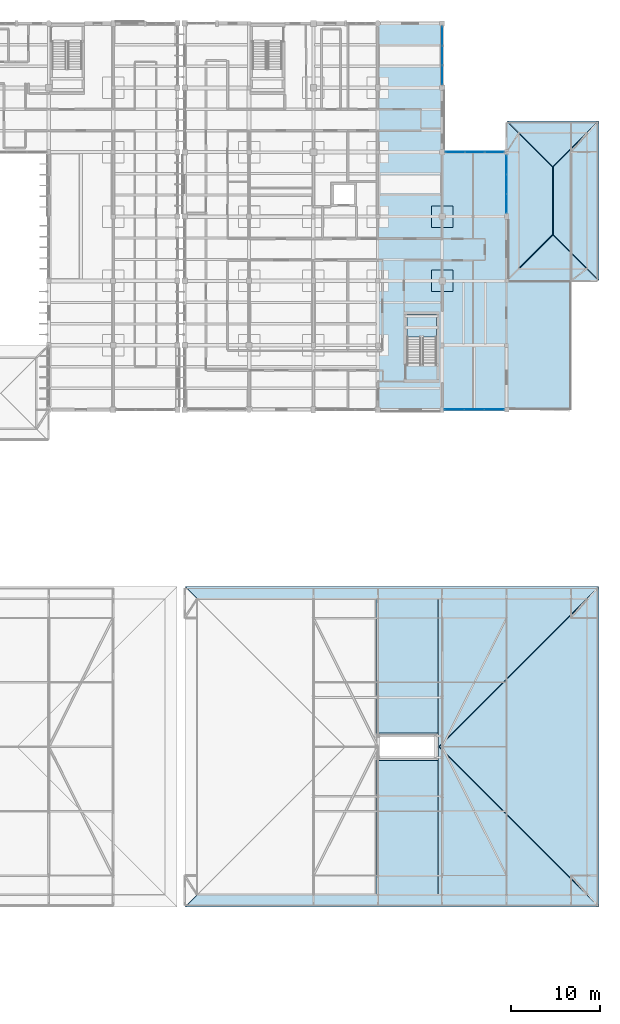
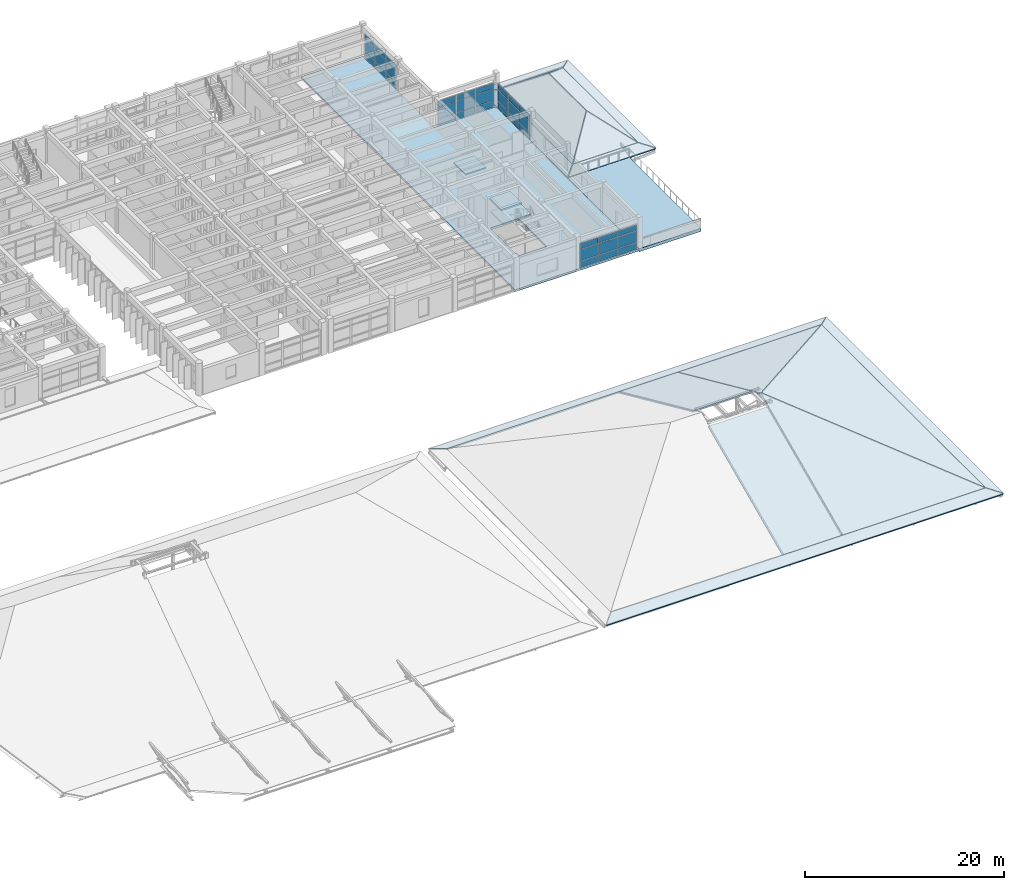
# One storey, part 56 of 100: 36 plates, 21 slabs, 7 elements without a shape of their own.
"""IFC4 building model written with IfcOpenShell, lengths in metres."""

from ifc_helpers import new_model, si_unit, direction, frame, origin, origin_2d, place, context, subcontext, project, spatial, polyline, rectangle, outline, extrude, material, layer, layer_set, type_object, element, aggregate, save


model = new_model("IFC4")

# Units and contexts
model_context = context("Model", 3, precision=1e-05, world=origin(), true_north=direction((0.0, 1.0)))
body_context = subcontext(model_context, "Body", "Model", "MODEL_VIEW")
ifc_project = project(units=[si_unit("LENGTHUNIT", "METRE"), si_unit("AREAUNIT", "SQUARE_METRE"), si_unit("VOLUMEUNIT", "CUBIC_METRE"), si_unit("PLANEANGLEUNIT", "RADIAN"), si_unit("MASSUNIT", "GRAM", prefix="KILO")], contexts=[model_context])

# Site, building, storey
site_placement = place(None, origin())
site = spatial("IfcSite", under=ifc_project, at=site_placement, CompositionType="ELEMENT")
building_placement = place(site_placement, origin())
building = spatial("IfcBuilding", under=site, at=building_placement, Name="Steenspoor Specialist Clinic", CompositionType="ELEMENT")
storey_placement = place(building_placement, frame((0.0, 0.0, 9.0)))
storey = spatial("IfcBuildingStorey", under=building, at=storey_placement, Name="L02", CompositionType="ELEMENT", Elevation=9.0)

# Curtain wall, plates
ifc_material_1 = material(Name="Thermally broken aluminium and low-emissivity glass", Category="aluminium")
curtain_wall_type_1 = type_object("IfcCurtainWallType", Name="CW-TYP-300X355", PredefinedType="USERDEFINED", material=ifc_material_1)
curtain_wall_1_placement = place(storey_placement, origin())
curtain_wall_1 = element("IfcCurtainWall", 1, at=curtain_wall_1_placement, inside=storey, type_object=curtain_wall_type_1, Name="Unitised Curtain Wall CW-V6-L02-183", ObjectType="UNITISED GLAZING", PredefinedType="USERDEFINED")
ifc_material_2 = material(Name="Double low-emissivity insulated glass", Category="glass")
ifc_layer_1 = layer(ifc_material_2, 0.035888671875)
ifc_layer_set_1 = layer_set([ifc_layer_1], Name="Double low-emissivity insulated glass")
plate_type_1 = type_object("IfcPlateType", Name="CW-PAN-GL36", PredefinedType="CURTAIN_PANEL", material=ifc_layer_set_1)
plate_1_placement = place(storey_placement, frame((154.0, 92.521240234375, 0.06005859375), z_axis=(0.0, 0.0, 1.0), x_axis=(0.0, -1.0, 0.0)))
plate_1 = element("IfcPlate", 2, at=plate_1_placement, type_object=plate_type_1, Name="CW-15 panel 1.1", PredefinedType="CURTAIN_PANEL", context=body_context, shape_type="SweptSolid", body=[
    extrude(rectangle(XDim=2.077392578125, YDim=0.035888671875, at=origin_2d()), origin(), (0.0, 0.0, 1.0), 0.81005859375),
])
plate_2_placement = place(storey_placement, frame((154.0, 92.521240234375, 0.93017578125), z_axis=(0.0, 0.0, 1.0), x_axis=(0.0, -1.0, 0.0)))
plate_2 = element("IfcPlate", 3, at=plate_2_placement, type_object=plate_type_1, Name="CW-15 panel 1.2", PredefinedType="CURTAIN_PANEL", context=body_context, shape_type="SweptSolid", body=[
    extrude(rectangle(XDim=2.077392578125, YDim=0.035888671875, at=origin_2d()), origin(), (0.0, 0.0, 1.0), 1.389892578125),
])
plate_3_placement = place(storey_placement, frame((154.0, 92.521240234375, 2.380126953125), z_axis=(0.0, 0.0, 1.0), x_axis=(0.0, -1.0, 0.0)))
plate_3 = element("IfcPlate", 4, at=plate_3_placement, type_object=plate_type_1, Name="CW-15 panel 1.3", PredefinedType="CURTAIN_PANEL", context=body_context, shape_type="SweptSolid", body=[
    extrude(rectangle(XDim=2.077392578125, YDim=0.035888671875, at=origin_2d()), origin(), (0.0, 0.0, 1.0), 0.68994140625),
])
plate_4_placement = place(storey_placement, frame((154.0, 90.362548828125, 0.06005859375), z_axis=(0.0, 0.0, 1.0), x_axis=(0.0, -1.0, 0.0)))
plate_4 = element("IfcPlate", 5, at=plate_4_placement, type_object=plate_type_1, Name="CW-15 panel 2.1", PredefinedType="CURTAIN_PANEL", context=body_context, shape_type="SweptSolid", body=[
    extrude(rectangle(XDim=2.110107421875, YDim=0.035888671875, at=origin_2d()), origin(), (0.0, 0.0, 1.0), 0.81005859375),
])
plate_5_placement = place(storey_placement, frame((154.0, 90.362548828125, 0.93017578125), z_axis=(0.0, 0.0, 1.0), x_axis=(0.0, -1.0, 0.0)))
plate_5 = element("IfcPlate", 6, at=plate_5_placement, type_object=plate_type_1, Name="CW-15 panel 2.2", PredefinedType="CURTAIN_PANEL", context=body_context, shape_type="SweptSolid", body=[
    extrude(rectangle(XDim=2.110107421875, YDim=0.035888671875, at=origin_2d()), origin(), (0.0, 0.0, 1.0), 1.389892578125),
])
plate_6_placement = place(storey_placement, frame((154.0, 90.362548828125, 2.380126953125), z_axis=(0.0, 0.0, 1.0), x_axis=(0.0, -1.0, 0.0)))
plate_6 = element("IfcPlate", 7, at=plate_6_placement, type_object=plate_type_1, Name="CW-15 panel 2.3", PredefinedType="CURTAIN_PANEL", context=body_context, shape_type="SweptSolid", body=[
    extrude(rectangle(XDim=2.110107421875, YDim=0.035888671875, at=origin_2d()), origin(), (0.0, 0.0, 1.0), 0.68994140625),
])
plate_7_placement = place(storey_placement, frame((154.0, 88.203857421875, 0.06005859375), z_axis=(0.0, 0.0, 1.0), x_axis=(0.0, -1.0, 0.0)))
plate_7 = element("IfcPlate", 8, at=plate_7_placement, type_object=plate_type_1, Name="CW-15 panel 3.1", PredefinedType="CURTAIN_PANEL", context=body_context, shape_type="SweptSolid", body=[
    extrude(rectangle(XDim=2.077392578125, YDim=0.035888671875, at=origin_2d()), origin(), (0.0, 0.0, 1.0), 0.81005859375),
])
plate_8_placement = place(storey_placement, frame((154.0, 88.203857421875, 0.93017578125), z_axis=(0.0, 0.0, 1.0), x_axis=(0.0, -1.0, 0.0)))
plate_8 = element("IfcPlate", 9, at=plate_8_placement, type_object=plate_type_1, Name="CW-15 panel 3.2", PredefinedType="CURTAIN_PANEL", context=body_context, shape_type="SweptSolid", body=[
    extrude(rectangle(XDim=2.077392578125, YDim=0.035888671875, at=origin_2d()), origin(), (0.0, 0.0, 1.0), 1.389892578125),
])
plate_9_placement = place(storey_placement, frame((154.0, 88.203857421875, 2.380126953125), z_axis=(0.0, 0.0, 1.0), x_axis=(0.0, -1.0, 0.0)))
plate_9 = element("IfcPlate", 10, at=plate_9_placement, type_object=plate_type_1, Name="CW-15 panel 3.3", PredefinedType="CURTAIN_PANEL", context=body_context, shape_type="SweptSolid", body=[
    extrude(rectangle(XDim=2.077392578125, YDim=0.035888671875, at=origin_2d()), origin(), (0.0, 0.0, 1.0), 0.68994140625),
])
aggregate(curtain_wall_1, [plate_1, plate_2, plate_3, plate_4, plate_5, plate_6, plate_7, plate_8, plate_9])

curtain_wall_type_2 = type_object("IfcCurtainWallType", Name="CW-STR-220X415", PredefinedType="USERDEFINED", material=ifc_material_1)
curtain_wall_2_placement = place(storey_placement, origin())
curtain_wall_2 = element("IfcCurtainWall", 11, at=curtain_wall_2_placement, inside=storey, type_object=curtain_wall_type_2, Name="Unitised Curtain Wall CW-V6-L02-192", ObjectType="UNITISED GLAZING", PredefinedType="USERDEFINED")
plate_10_placement = place(storey_placement, frame((146.800048828125, 106.950927734375, 0.06494140625), z_axis=(0.0, 0.0, 1.0), x_axis=(0.0, -1.0, 0.0)))
plate_10 = element("IfcPlate", 12, at=plate_10_placement, type_object=plate_type_1, Name="CW-24 panel 1.1", PredefinedType="CURTAIN_PANEL", context=body_context, shape_type="SweptSolid", body=[
    extrude(rectangle(XDim=2.08837890625, YDim=0.035888671875, at=origin_2d()), origin(), (0.0, 0.0, 1.0), 0.802490234375),
])
plate_11_placement = place(storey_placement, frame((146.800048828125, 106.950927734375, 0.9326171875), z_axis=(0.0, 0.0, 1.0), x_axis=(0.0, -1.0, 0.0)))
plate_11 = element("IfcPlate", 13, at=plate_11_placement, type_object=plate_type_1, Name="CW-24 panel 1.2", PredefinedType="CURTAIN_PANEL", context=body_context, shape_type="SweptSolid", body=[
    extrude(rectangle(XDim=2.08837890625, YDim=0.035888671875, at=origin_2d()), origin(), (0.0, 0.0, 1.0), 1.385009765625),
])
plate_12_placement = place(storey_placement, frame((146.800048828125, 106.950927734375, 2.38232421875), z_axis=(0.0, 0.0, 1.0), x_axis=(0.0, -1.0, 0.0)))
plate_12 = element("IfcPlate", 14, at=plate_12_placement, type_object=plate_type_1, Name="CW-24 panel 1.3", PredefinedType="CURTAIN_PANEL", context=body_context, shape_type="SweptSolid", body=[
    extrude(rectangle(XDim=2.08837890625, YDim=0.035888671875, at=origin_2d()), origin(), (0.0, 0.0, 1.0), 0.6826171875),
])
plate_13_placement = place(storey_placement, frame((146.800048828125, 104.762451171875, 0.06494140625), z_axis=(0.0, 0.0, 1.0), x_axis=(0.0, -1.0, 0.0)))
plate_13 = element("IfcPlate", 15, at=plate_13_placement, type_object=plate_type_1, Name="CW-24 panel 2.1", PredefinedType="CURTAIN_PANEL", context=body_context, shape_type="SweptSolid", body=[
    extrude(rectangle(XDim=2.12841796875, YDim=0.035888671875, at=origin_2d()), origin(), (0.0, 0.0, 1.0), 0.802490234375),
])
plate_14_placement = place(storey_placement, frame((146.800048828125, 104.762451171875, 0.9326171875), z_axis=(0.0, 0.0, 1.0), x_axis=(0.0, -1.0, 0.0)))
plate_14 = element("IfcPlate", 16, at=plate_14_placement, type_object=plate_type_1, Name="CW-24 panel 2.2", PredefinedType="CURTAIN_PANEL", context=body_context, shape_type="SweptSolid", body=[
    extrude(rectangle(XDim=2.12841796875, YDim=0.035888671875, at=origin_2d()), origin(), (0.0, 0.0, 1.0), 1.385009765625),
])
plate_15_placement = place(storey_placement, frame((146.800048828125, 104.762451171875, 2.38232421875), z_axis=(0.0, 0.0, 1.0), x_axis=(0.0, -1.0, 0.0)))
plate_15 = element("IfcPlate", 17, at=plate_15_placement, type_object=plate_type_1, Name="CW-24 panel 2.3", PredefinedType="CURTAIN_PANEL", context=body_context, shape_type="SweptSolid", body=[
    extrude(rectangle(XDim=2.12841796875, YDim=0.035888671875, at=origin_2d()), origin(), (0.0, 0.0, 1.0), 0.6826171875),
])
plate_16_placement = place(storey_placement, frame((146.800048828125, 102.57421875, 0.06494140625), z_axis=(0.0, 0.0, 1.0), x_axis=(0.0, -1.0, 0.0)))
plate_16 = element("IfcPlate", 18, at=plate_16_placement, type_object=plate_type_1, Name="CW-24 panel 3.1", PredefinedType="CURTAIN_PANEL", context=body_context, shape_type="SweptSolid", body=[
    extrude(rectangle(XDim=2.08837890625, YDim=0.035888671875, at=origin_2d()), origin(), (0.0, 0.0, 1.0), 0.802490234375),
])
plate_17_placement = place(storey_placement, frame((146.800048828125, 102.57421875, 0.9326171875), z_axis=(0.0, 0.0, 1.0), x_axis=(0.0, -1.0, 0.0)))
plate_17 = element("IfcPlate", 19, at=plate_17_placement, type_object=plate_type_1, Name="CW-24 panel 3.2", PredefinedType="CURTAIN_PANEL", context=body_context, shape_type="SweptSolid", body=[
    extrude(rectangle(XDim=2.08837890625, YDim=0.035888671875, at=origin_2d()), origin(), (0.0, 0.0, 1.0), 1.385009765625),
])
plate_18_placement = place(storey_placement, frame((146.800048828125, 102.57421875, 2.38232421875), z_axis=(0.0, 0.0, 1.0), x_axis=(0.0, -1.0, 0.0)))
plate_18 = element("IfcPlate", 20, at=plate_18_placement, type_object=plate_type_1, Name="CW-24 panel 3.3", PredefinedType="CURTAIN_PANEL", context=body_context, shape_type="SweptSolid", body=[
    extrude(rectangle(XDim=2.08837890625, YDim=0.035888671875, at=origin_2d()), origin(), (0.0, 0.0, 1.0), 0.6826171875),
])
aggregate(curtain_wall_2, [plate_10, plate_11, plate_12, plate_13, plate_14, plate_15, plate_16, plate_17, plate_18])

curtain_wall_type_3 = type_object("IfcCurtainWallType", Name="CW-TYP-240X355", PredefinedType="USERDEFINED", material=ifc_material_1)
curtain_wall_3_placement = place(storey_placement, origin())
curtain_wall_3 = element("IfcCurtainWall", 21, at=curtain_wall_3_placement, inside=storey, type_object=curtain_wall_type_3, Name="Unitised Curtain Wall CW-V6-L02-184", ObjectType="UNITISED GLAZING", PredefinedType="USERDEFINED")
ifc_material_3 = material(Name="Triple acoustic laminated low-emissivity glass", Category="glass")
ifc_layer_2 = layer(ifc_material_3, 0.048095703125)
ifc_layer_set_2 = layer_set([ifc_layer_2], Name="Triple acoustic laminated low-emissivity glass")
plate_type_2 = type_object("IfcPlateType", Name="CW-PAN-GL48", PredefinedType="CURTAIN_PANEL", material=ifc_layer_set_2)
plate_19_placement = place(storey_placement, frame((152.6142578125, 65.14990234375, 0.08984375), z_axis=(0.0, 0.0, 1.0), x_axis=(-1.0, 0.0, 0.0)))
plate_19 = element("IfcPlate", 22, at=plate_19_placement, type_object=plate_type_2, Name="CW-16 panel 1.1", PredefinedType="CURTAIN_PANEL", context=body_context, shape_type="SweptSolid", body=[
    extrude(rectangle(XDim=2.151611328125, YDim=0.048095703125, at=origin_2d()), origin(), (0.0, 0.0, 1.0), 0.764892578125),
])
plate_20_placement = place(storey_placement, frame((152.6142578125, 65.14990234375, 0.94482421875), z_axis=(0.0, 0.0, 1.0), x_axis=(-1.0, 0.0, 0.0)))
plate_20 = element("IfcPlate", 23, at=plate_20_placement, type_object=plate_type_2, Name="CW-16 panel 1.2", PredefinedType="CURTAIN_PANEL", context=body_context, shape_type="SweptSolid", body=[
    extrude(rectangle(XDim=2.151611328125, YDim=0.048095703125, at=origin_2d()), origin(), (0.0, 0.0, 1.0), 1.360107421875),
])
plate_21_placement = place(storey_placement, frame((152.6142578125, 65.14990234375, 2.39501953125), z_axis=(0.0, 0.0, 1.0), x_axis=(-1.0, 0.0, 0.0)))
plate_21 = element("IfcPlate", 24, at=plate_21_placement, type_object=plate_type_2, Name="CW-16 panel 1.3", PredefinedType="CURTAIN_PANEL", context=body_context, shape_type="SweptSolid", body=[
    extrude(rectangle(XDim=2.151611328125, YDim=0.048095703125, at=origin_2d()), origin(), (0.0, 0.0, 1.0), 0.64501953125),
])
plate_22_placement = place(storey_placement, frame((150.387451171875, 65.14990234375, 0.08984375), z_axis=(0.0, 0.0, 1.0), x_axis=(-1.0, 0.0, 0.0)))
plate_22 = element("IfcPlate", 25, at=plate_22_placement, type_object=plate_type_2, Name="CW-16 panel 2.1", PredefinedType="CURTAIN_PANEL", context=body_context, shape_type="SweptSolid", body=[
    extrude(rectangle(XDim=2.181640625, YDim=0.048095703125, at=origin_2d()), origin(), (0.0, 0.0, 1.0), 0.764892578125),
])
plate_23_placement = place(storey_placement, frame((150.387451171875, 65.14990234375, 0.94482421875), z_axis=(0.0, 0.0, 1.0), x_axis=(-1.0, 0.0, 0.0)))
plate_23 = element("IfcPlate", 26, at=plate_23_placement, type_object=plate_type_2, Name="CW-16 panel 2.2", PredefinedType="CURTAIN_PANEL", context=body_context, shape_type="SweptSolid", body=[
    extrude(rectangle(XDim=2.181640625, YDim=0.048095703125, at=origin_2d()), origin(), (0.0, 0.0, 1.0), 1.360107421875),
])
plate_24_placement = place(storey_placement, frame((150.387451171875, 65.14990234375, 2.39501953125), z_axis=(0.0, 0.0, 1.0), x_axis=(-1.0, 0.0, 0.0)))
plate_24 = element("IfcPlate", 27, at=plate_24_placement, type_object=plate_type_2, Name="CW-16 panel 2.3", PredefinedType="CURTAIN_PANEL", context=body_context, shape_type="SweptSolid", body=[
    extrude(rectangle(XDim=2.181640625, YDim=0.048095703125, at=origin_2d()), origin(), (0.0, 0.0, 1.0), 0.64501953125),
])
plate_25_placement = place(storey_placement, frame((148.160888671875, 65.14990234375, 0.08984375), z_axis=(0.0, 0.0, 1.0), x_axis=(-1.0, 0.0, 0.0)))
plate_25 = element("IfcPlate", 28, at=plate_25_placement, type_object=plate_type_2, Name="CW-16 panel 3.1", PredefinedType="CURTAIN_PANEL", context=body_context, shape_type="SweptSolid", body=[
    extrude(rectangle(XDim=2.151611328125, YDim=0.048095703125, at=origin_2d()), origin(), (0.0, 0.0, 1.0), 0.764892578125),
])
plate_26_placement = place(storey_placement, frame((148.160888671875, 65.14990234375, 0.94482421875), z_axis=(0.0, 0.0, 1.0), x_axis=(-1.0, 0.0, 0.0)))
plate_26 = element("IfcPlate", 29, at=plate_26_placement, type_object=plate_type_2, Name="CW-16 panel 3.2", PredefinedType="CURTAIN_PANEL", context=body_context, shape_type="SweptSolid", body=[
    extrude(rectangle(XDim=2.151611328125, YDim=0.048095703125, at=origin_2d()), origin(), (0.0, 0.0, 1.0), 1.360107421875),
])
plate_27_placement = place(storey_placement, frame((148.160888671875, 65.14990234375, 2.39501953125), z_axis=(0.0, 0.0, 1.0), x_axis=(-1.0, 0.0, 0.0)))
plate_27 = element("IfcPlate", 30, at=plate_27_placement, type_object=plate_type_2, Name="CW-16 panel 3.3", PredefinedType="CURTAIN_PANEL", context=body_context, shape_type="SweptSolid", body=[
    extrude(rectangle(XDim=2.151611328125, YDim=0.048095703125, at=origin_2d()), origin(), (0.0, 0.0, 1.0), 0.64501953125),
])
aggregate(curtain_wall_3, [plate_19, plate_20, plate_21, plate_22, plate_23, plate_24, plate_25, plate_26, plate_27])

curtain_wall_type_4 = type_object("IfcCurtainWallType", Name="CW-HALL-660X820", PredefinedType="USERDEFINED", material=ifc_material_1)
curtain_wall_4_placement = place(storey_placement, origin())
curtain_wall_4 = element("IfcCurtainWall", 31, at=curtain_wall_4_placement, inside=storey, type_object=curtain_wall_type_4, Name="Unitised Curtain Wall CW-V6-L02-193", ObjectType="UNITISED GLAZING", PredefinedType="USERDEFINED")
plate_28_placement = place(storey_placement, frame((148.25341796875, 93.949951171875, 0.06005859375), z_axis=(0.0, 0.0, 1.0), x_axis=(1.0, 0.0, 0.0)))
plate_28 = element("IfcPlate", 32, at=plate_28_placement, type_object=plate_type_2, Name="CW-01 panel 1.1", PredefinedType="CURTAIN_PANEL", context=body_context, shape_type="SweptSolid", body=[
    extrude(rectangle(XDim=2.0966796875, YDim=0.048095703125, at=origin_2d()), origin(), (0.0, 0.0, 1.0), 0.81005859375),
])
plate_29_placement = place(storey_placement, frame((148.25341796875, 93.949951171875, 0.93017578125), z_axis=(0.0, 0.0, 1.0), x_axis=(1.0, 0.0, 0.0)))
plate_29 = element("IfcPlate", 33, at=plate_29_placement, type_object=plate_type_2, Name="CW-01 panel 1.2", PredefinedType="CURTAIN_PANEL", context=body_context, shape_type="SweptSolid", body=[
    extrude(rectangle(XDim=2.0966796875, YDim=0.048095703125, at=origin_2d()), origin(), (0.0, 0.0, 1.0), 1.389892578125),
])
plate_30_placement = place(storey_placement, frame((148.25341796875, 93.949951171875, 2.380126953125), z_axis=(0.0, 0.0, 1.0), x_axis=(1.0, 0.0, 0.0)))
plate_30 = element("IfcPlate", 34, at=plate_30_placement, type_object=plate_type_2, Name="CW-01 panel 1.3", PredefinedType="CURTAIN_PANEL", context=body_context, shape_type="SweptSolid", body=[
    extrude(rectangle(XDim=2.0966796875, YDim=0.048095703125, at=origin_2d()), origin(), (0.0, 0.0, 1.0), 0.68994140625),
])
plate_31_placement = place(storey_placement, frame((150.449951171875, 93.949951171875, 0.06005859375), z_axis=(0.0, 0.0, 1.0), x_axis=(1.0, 0.0, 0.0)))
plate_31 = element("IfcPlate", 35, at=plate_31_placement, type_object=plate_type_2, Name="CW-01 panel 2.1", PredefinedType="CURTAIN_PANEL", context=body_context, shape_type="SweptSolid", body=[
    extrude(rectangle(XDim=2.13671875, YDim=0.048095703125, at=origin_2d()), origin(), (0.0, 0.0, 1.0), 0.81005859375),
])
plate_32_placement = place(storey_placement, frame((150.449951171875, 93.949951171875, 0.93017578125), z_axis=(0.0, 0.0, 1.0), x_axis=(1.0, 0.0, 0.0)))
plate_32 = element("IfcPlate", 36, at=plate_32_placement, type_object=plate_type_2, Name="CW-01 panel 2.2", PredefinedType="CURTAIN_PANEL", context=body_context, shape_type="SweptSolid", body=[
    extrude(rectangle(XDim=2.13671875, YDim=0.048095703125, at=origin_2d()), origin(), (0.0, 0.0, 1.0), 1.389892578125),
])
plate_33_placement = place(storey_placement, frame((150.449951171875, 93.949951171875, 2.380126953125), z_axis=(0.0, 0.0, 1.0), x_axis=(1.0, 0.0, 0.0)))
plate_33 = element("IfcPlate", 37, at=plate_33_placement, type_object=plate_type_2, Name="CW-01 panel 2.3", PredefinedType="CURTAIN_PANEL", context=body_context, shape_type="SweptSolid", body=[
    extrude(rectangle(XDim=2.13671875, YDim=0.048095703125, at=origin_2d()), origin(), (0.0, 0.0, 1.0), 0.68994140625),
])
plate_34_placement = place(storey_placement, frame((152.646728515625, 93.949951171875, 0.06005859375), z_axis=(0.0, 0.0, 1.0), x_axis=(1.0, 0.0, 0.0)))
plate_34 = element("IfcPlate", 38, at=plate_34_placement, type_object=plate_type_2, Name="CW-01 panel 3.1", PredefinedType="CURTAIN_PANEL", context=body_context, shape_type="SweptSolid", body=[
    extrude(rectangle(XDim=2.0966796875, YDim=0.048095703125, at=origin_2d()), origin(), (0.0, 0.0, 1.0), 0.81005859375),
])
plate_35_placement = place(storey_placement, frame((152.646728515625, 93.949951171875, 0.93017578125), z_axis=(0.0, 0.0, 1.0), x_axis=(1.0, 0.0, 0.0)))
plate_35 = element("IfcPlate", 39, at=plate_35_placement, type_object=plate_type_2, Name="CW-01 panel 3.2", PredefinedType="CURTAIN_PANEL", context=body_context, shape_type="SweptSolid", body=[
    extrude(rectangle(XDim=2.0966796875, YDim=0.048095703125, at=origin_2d()), origin(), (0.0, 0.0, 1.0), 1.389892578125),
])
plate_36_placement = place(storey_placement, frame((152.646728515625, 93.949951171875, 2.380126953125), z_axis=(0.0, 0.0, 1.0), x_axis=(1.0, 0.0, 0.0)))
plate_36 = element("IfcPlate", 40, at=plate_36_placement, type_object=plate_type_2, Name="CW-01 panel 3.3", PredefinedType="CURTAIN_PANEL", context=body_context, shape_type="SweptSolid", body=[
    extrude(rectangle(XDim=2.0966796875, YDim=0.048095703125, at=origin_2d()), origin(), (0.0, 0.0, 1.0), 0.68994140625),
])
aggregate(curtain_wall_4, [plate_28, plate_29, plate_30, plate_31, plate_32, plate_33, plate_34, plate_35, plate_36])

# Slabs
ifc_material_4 = material(Name="Concrete C35/45", Category="concrete")
ifc_layer_3 = layer(ifc_material_4, 0.169921875)
ifc_layer_set_3 = layer_set([ifc_layer_3], Name="Concrete C35/45")
slab_type_1 = type_object("IfcSlabType", Name="SL-DROP-170", PredefinedType="USERDEFINED", material=ifc_layer_set_3)
slab_1_placement = place(storey_placement, frame((0.0, 0.0, -0.419921875)))
element("IfcSlab", 41, at=slab_1_placement, inside=storey, type_object=slab_type_1, Name="Column Drop Panel DROP-V6-L02-158", ObjectType="DROP PANEL", PredefinedType="USERDEFINED", context=body_context, shape_type="SweptSolid", body=[
    extrude(outline(polyline([(148.0, 78.35009765625), (148.0, 80.75), (145.60009765625, 80.75), (145.60009765625, 78.35009765625), (148.0, 78.35009765625)])), origin(), (0.0, 0.0, 1.0), 0.169921875),
])
slab_2_placement = place(storey_placement, frame((0.0, 0.0, -0.419921875)))
element("IfcSlab", 42, at=slab_2_placement, inside=storey, type_object=slab_type_1, Name="Column Drop Panel DROP-V6-L02-159", ObjectType="DROP PANEL", PredefinedType="USERDEFINED", context=body_context, shape_type="SweptSolid", body=[
    extrude(outline(polyline([(148.0, 85.550048828125), (148.0, 87.949951171875), (145.60009765625, 87.949951171875), (145.60009765625, 85.550048828125), (148.0, 85.550048828125)])), origin(), (0.0, 0.0, 1.0), 0.169921875),
])
ifc_layer_4 = layer(ifc_material_4, 0.25)
ifc_layer_set_4 = layer_set([ifc_layer_4], Name="Concrete C35/45")
slab_type_2 = type_object("IfcSlabType", Name="SL-FLAT-250", PredefinedType="FLOOR", material=ifc_layer_set_4)
slab_3_placement = place(storey_placement, frame((0.0, 0.0, -0.25)))
element("IfcSlab", 43, at=slab_3_placement, inside=storey, type_object=slab_type_2, Name="Structural Slab SLAB-V6-L02-049", PredefinedType="FLOOR", context=body_context, shape_type="SweptSolid", body=[
    extrude(outline(polyline([(139.60009765625, 65.14990234375), (139.60009765625, 108.35009765625), (146.800048828125, 108.35009765625), (146.800048828125, 93.949951171875), (154.0, 93.949951171875), (154.0, 65.14990234375), (139.60009765625, 65.14990234375)]), holes=[polyline([(142.85009765625, 70.14990234375), (146.14990234375, 70.14990234375), (146.14990234375, 75.800048828125), (142.85009765625, 75.800048828125), (142.85009765625, 70.14990234375)])]), origin(), (0.0, 0.0, 1.0), 0.25),
])
ifc_layer_5 = layer(ifc_material_4, 0.3798828125)
ifc_layer_set_5 = layer_set([ifc_layer_5], Name="Concrete C35/45")
slab_type_3 = type_object("IfcSlabType", Name="SL-GARDEN-380", PredefinedType="FLOOR", material=ifc_layer_set_5)
slab_4_placement = place(storey_placement, frame((0.0, 0.0, -0.3798828125)))
element("IfcSlab", 44, at=slab_4_placement, inside=storey, type_object=slab_type_3, Name="Planted Roof Terrace Slab TERR-V6-L02-01", PredefinedType="FLOOR", context=body_context, shape_type="SweptSolid", body=[
    extrude(outline(polyline([(161.199951171875, 65.14990234375), (161.199951171875, 79.550048828125), (154.0, 79.550048828125), (154.0, 65.14990234375), (161.199951171875, 65.14990234375)])), origin(), (0.0, 0.0, 1.0), 0.3798828125),
])

# Stair, slab
stair_type = type_object("IfcStairType", Name="ST-CORE-TYP", PredefinedType="HALF_TURN_STAIR", material=ifc_material_4)
stair_placement = place(storey_placement, origin())
stair = element("IfcStair", 45, at=stair_placement, inside=storey, type_object=stair_type, Name="L02 Enclosed Exit Stair ST-V6B", PredefinedType="HALF_TURN_STAIR")
ifc_layer_6 = layer(ifc_material_4, 0.199951171875)
ifc_layer_set_6 = layer_set([ifc_layer_6], Name="Concrete C35/45")
slab_type_4 = type_object("IfcSlabType", Name="SL-LAND-200", PredefinedType="LANDING", material=ifc_layer_set_6)
slab_5_placement = place(storey_placement, frame((0.0, 0.0, 1.89990234375)))
slab_5 = element("IfcSlab", 46, at=slab_5_placement, type_object=slab_type_4, Name="ST-V6B landing 1", PredefinedType="LANDING", context=body_context, shape_type="SweptSolid", body=[
    extrude(outline(polyline([(146.14990234375, 73.284912109375), (146.14990234375, 75.800048828125), (142.85009765625, 75.800048828125), (142.85009765625, 73.284912109375), (146.14990234375, 73.284912109375)])), origin(), (0.0, 0.0, 1.0), 0.2001953125),
])
aggregate(stair, [slab_5])

# Roof, slabs
ifc_material_5 = material(Name="Extruded terracotta clay roof tile", Category="masonry")
roof_type = type_object("IfcRoofType", Name="ROOF-HIP-TIER", PredefinedType="HIP_ROOF", material=ifc_material_5)
roof_1_placement = place(storey_placement, origin())
roof_1 = element("IfcRoof", 47, at=roof_1_placement, inside=storey, type_object=roof_type, Name="Tiered Hipped Roof V2", PredefinedType="HIP_ROOF")
ifc_layer_7 = layer(ifc_material_4, 0.14990234375)
ifc_layer_set_7 = layer_set([ifc_layer_7], Name="Concrete C35/45")
slab_type_5 = type_object("IfcSlabType", Name="SL-ROOF-150", PredefinedType="ROOF", material=ifc_layer_set_7)
slab_6_placement = place(storey_placement, frame((119.430419921875, 10.89111328125, 0.33447265625), z_axis=(0.0, -0.241995280227, 0.970277426486), x_axis=(-0.696360507135, -0.696360507135, -0.173678116653)))
slab_6 = element("IfcSlab", 48, at=slab_6_placement, type_object=slab_type_5, Name="Hipped Roof Slab RSLAB-V2-SKS", PredefinedType="ROOF", context=body_context, shape_type="SweptSolid", body=[
    extrude(outline(polyline([(0.0, 0.0), (1.9258192263683114, -5.551115123125783e-17), (-30.246852250757886, 33.158219081371094), (-30.305112841656783, 31.23345139690236), (0.0, 0.0)])), origin(), (0.0, 0.0, -1.0), 0.14990234375),
])
slab_7_placement = place(storey_placement, frame((162.94970703125, 44.009033203125, 0.33447265625), z_axis=(0.0, 0.241995280227, 0.970277426486), x_axis=(0.696295200328, 0.696421983868, -0.173693449463)))
slab_7 = element("IfcSlab", 49, at=slab_7_placement, type_object=slab_type_5, Name="Hipped Roof Slab RSLAB-V2-SKN", PredefinedType="ROOF", context=body_context, shape_type="SweptSolid", body=[
    extrude(outline(polyline([(0.0, 0.0), (1.9256492244505445, -6.245004513516506e-17), (-30.244005001634946, 33.16114638545223), (-30.30227073594837, 31.236208776890646), (0.0, 0.0)])), origin(), (0.0, 0.0, -1.0), 0.14990234375),
])
slab_8_placement = place(storey_placement, frame((163.009033203125, 10.950439453125, 0.33447265625), z_axis=(0.241995280227, 0.0, 0.970277426486), x_axis=(0.696360507135, -0.696360507135, -0.173678116653)))
slab_8 = element("IfcSlab", 50, at=slab_8_placement, type_object=slab_type_5, Name="Hipped Roof Slab RSLAB-V2-SKE", PredefinedType="ROOF", context=body_context, shape_type="SweptSolid", body=[
    extrude(outline(polyline([(0.0, 0.0), (1.9258192263683114, -5.551115123125783e-17), (-22.921126114902, 25.60808348521657), (-22.9793867058009, 23.68331580074785), (0.0, 0.0)])), origin(), (0.0, 0.0, -1.0), 0.14990234375),
])
slab_9_placement = place(storey_placement, frame((146.402099609375, 10.908935546875, 0.3408203125), z_axis=(0.0, -0.411082476915, 0.911598155534), x_axis=(1.0, 0.0, 0.0)))
slab_9 = element("IfcSlab", 51, at=slab_9_placement, type_object=slab_type_5, Name="Hipped Roof Slab RSLAB-V2-S2", PredefinedType="ROOF", context=body_context, shape_type="SweptSolid", body=[
    extrude(outline(polyline([(0.0, 0.0), (16.529541015625, 0.0), (0.030517578125, 18.099009237057757), (0.0, 18.099009237057757), (0.0, 0.0)])), origin(), (0.0, 0.0, -1.0), 0.14990234375),
])
slab_10_placement = place(storey_placement, frame((139.382080078125, 10.908935546875, 0.3408203125), z_axis=(0.0, -0.41108380155, 0.911597558193), x_axis=(1.0, 0.0, 0.0)))
slab_10 = element("IfcSlab", 52, at=slab_10_placement, type_object=slab_type_5, Name="Hipped Roof Slab RSLAB-V2-S3", PredefinedType="ROOF", context=body_context, shape_type="SweptSolid", body=[
    extrude(outline(polyline([(0.0, 0.0), (6.93603515625, 0.0), (6.93603515625, 16.44257768920031), (0.0, 16.44257768920031), (0.0, 0.0)])), origin(), (0.0, 0.0, -1.0), 0.14990234375),
])
slab_11_placement = place(storey_placement, frame((162.931640625, 43.990966796875, 0.3408203125), z_axis=(0.0, 0.411082476915, 0.911598155534), x_axis=(-1.0, 0.0, 0.0)))
slab_11 = element("IfcSlab", 53, at=slab_11_placement, type_object=slab_type_5, Name="Hipped Roof Slab RSLAB-V2-N2", PredefinedType="ROOF", context=body_context, shape_type="SweptSolid", body=[
    extrude(outline(polyline([(0.0, 0.0), (16.529541015625, 0.0), (16.529541015625, 18.099009237057757), (16.4990234375, 18.099009237057757), (0.0, 0.0)])), origin(), (0.0, 0.0, -1.0), 0.14990234375),
])
slab_12_placement = place(storey_placement, frame((146.318115234375, 43.990966796875, 0.3408203125), z_axis=(0.0, 0.41108380155, 0.911597558193), x_axis=(-1.0, 0.0, 0.0)))
slab_12 = element("IfcSlab", 54, at=slab_12_placement, type_object=slab_type_5, Name="Hipped Roof Slab RSLAB-V2-N3", PredefinedType="ROOF", context=body_context, shape_type="SweptSolid", body=[
    extrude(outline(polyline([(0.0, 0.0), (6.93603515625, 0.0), (6.93603515625, 16.44257768920031), (0.0, 16.44257768920031), (0.0, 0.0)])), origin(), (0.0, 0.0, -1.0), 0.14990234375),
])
slab_13_placement = place(storey_placement, frame((146.509521484375, 27.449951171875, 7.773193359375), z_axis=(0.411087730692, 0.0, 0.911595786341), x_axis=(0.67368568818, -0.67368568818, -0.303801229562)))
slab_13 = element("IfcSlab", 55, at=slab_13_placement, type_object=slab_type_5, Name="Hipped Roof Slab RSLAB-V2-E", PredefinedType="ROOF", context=body_context, shape_type="SweptSolid", body=[
    extrude(outline(polyline([(0.0, 0.0), (24.46459172530313, 8.881784197001252e-16), (2.2577995961577835, 24.360349687754567), (0.0, 0.0)])), origin(), (0.0, 0.0, -1.0), 0.14990234375),
])
aggregate(roof_1, [slab_6, slab_7, slab_8, slab_9, slab_10, slab_11, slab_12, slab_13])

roof_2_placement = place(storey_placement, origin())
roof_2 = element("IfcRoof", 56, at=roof_2_placement, inside=storey, type_object=roof_type, Name="Tiered Hipped Roof V6T1", PredefinedType="HIP_ROOF")
slab_14_placement = place(storey_placement, frame((155.430419921875, 80.9208984375, 0.33447265625), z_axis=(0.0, -0.242036762378, 0.970267079549), x_axis=(-0.696421983868, -0.696295200328, -0.173693449463)))
slab_14 = element("IfcSlab", 57, at=slab_14_placement, type_object=slab_type_5, Name="Hipped Roof Slab RSLAB-V6T1-SKS", PredefinedType="ROOF", context=body_context, shape_type="SweptSolid", body=[
    extrude(outline(polyline([(0.0, 0.0), (1.9256492244505445, 6.938893903907228e-18), (-5.1786711305115665, 7.320692584541579), (-5.2365968459811905, 5.396084886829793), (0.0, 0.0)])), origin(), (0.0, 0.0, -1.0), 0.14990234375),
])
slab_15_placement = place(storey_placement, frame((162.94970703125, 96.10888671875, 0.33447265625), z_axis=(0.0, 0.241995280227, 0.970277426486), x_axis=(0.696295200328, 0.696421983868, -0.173693449463)))
slab_15 = element("IfcSlab", 58, at=slab_15_placement, type_object=slab_type_5, Name="Hipped Roof Slab RSLAB-V6T1-SKN", PredefinedType="ROOF", context=body_context, shape_type="SweptSolid", body=[
    extrude(outline(polyline([(0.0, 0.0), (1.9256492244505445, -5.551115123125783e-17), (-5.177377789831617, 7.321947477117605), (-5.235643524145038, 5.397009868556029), (0.0, 0.0)])), origin(), (0.0, 0.0, -1.0), 0.14990234375),
])
slab_16_placement = place(storey_placement, frame((155.37109375, 96.049560546875, 0.33447265625), z_axis=(-0.241995280227, 0.0, 0.970277426486), x_axis=(-0.696360507135, 0.696360507135, -0.173678116653)))
slab_16 = element("IfcSlab", 59, at=slab_16_placement, type_object=slab_type_5, Name="Hipped Roof Slab RSLAB-V6T1-SKW", PredefinedType="ROOF", context=body_context, shape_type="SweptSolid", body=[
    extrude(outline(polyline([(0.0, 0.0), (1.9258192263683114, -5.551115123125783e-17), (-10.43542982473277, 12.739912022761628), (-10.493520405742233, 10.814969120479114), (0.0, 0.0)])), origin(), (0.0, 0.0, -1.0), 0.14990234375),
])
slab_17_placement = place(storey_placement, frame((163.009033203125, 80.98046875, 0.33447265625), z_axis=(0.241995280227, 0.0, 0.970277426486), x_axis=(0.696360507135, -0.696360507135, -0.173678116653)))
slab_17 = element("IfcSlab", 60, at=slab_17_placement, type_object=slab_type_5, Name="Hipped Roof Slab RSLAB-V6T1-SKE", PredefinedType="ROOF", context=body_context, shape_type="SweptSolid", body=[
    extrude(outline(polyline([(0.0, 0.0), (1.9258192263683114, -5.551115123125783e-17), (-10.43542982473277, 12.739912022761628), (-10.493520405742233, 10.814969120479114), (0.0, 0.0)])), origin(), (0.0, 0.0, -1.0), 0.14990234375),
])
slab_18_placement = place(storey_placement, frame((155.388916015625, 80.998291015625, 0.343505859375), z_axis=(-0.613958359189, 0.0, 0.789338414865), x_axis=(0.6195788767, 0.6195788767, 0.481917037563)))
slab_18 = element("IfcSlab", 61, at=slab_18_placement, type_object=slab_type_5, Name="Hipped Roof Slab RSLAB-V6T1-W", PredefinedType="ROOF", context=body_context, shape_type="SweptSolid", body=[
    extrude(outline(polyline([(0.0, 0.0), (6.067077727286293, -4.440892098500626e-16), (10.723448958112234, 5.899080981152627), (9.314255105393825, 11.800078306060298), (0.0, 0.0)])), origin(), (0.0, 0.0, -1.0), 0.14990234375),
])
slab_19_placement = place(storey_placement, frame((162.990966796875, 96.031494140625, 0.343505859375), z_axis=(0.613958359189, 0.0, 0.789338414865), x_axis=(-0.619594324116, -0.619554082879, 0.481929052777)))
slab_19 = element("IfcSlab", 62, at=slab_19_placement, type_object=slab_type_5, Name="Hipped Roof Slab RSLAB-V6T1-E", PredefinedType="ROOF", context=body_context, shape_type="SweptSolid", body=[
    extrude(outline(polyline([(0.0, 0.0), (6.066926465938651, 0.0), (10.723111361756416, 5.899228057756253), (9.313882374845686, 11.800372507046065), (0.0, 0.0)])), origin(), (0.0, 0.0, -1.0), 0.14990234375),
])
slab_20_placement = place(storey_placement, frame((159.18994140625, 84.6806640625, 3.25390625), z_axis=(0.0, -0.613965572285, 0.789332804366), x_axis=(-0.619551254652, -0.61959168214, -0.481936085266)))
slab_20 = element("IfcSlab", 63, at=slab_20_placement, type_object=slab_type_5, Name="Hipped Roof Slab RSLAB-V6T1-S", PredefinedType="ROOF", context=body_context, shape_type="SweptSolid", body=[
    extrude(outline(polyline([(0.0, 0.0), (6.038975871699759, 2.220446049250313e-16), (1.4027782383160265, 5.873948393971969), (0.0, 0.0)])), origin(), (0.0, 0.0, -1.0), 0.14990234375),
])
slab_21_placement = place(storey_placement, frame((159.18994140625, 92.349365234375, 3.25390625), z_axis=(0.0, 0.613965572285, 0.789332804366), x_axis=(0.619576163365, 0.619576163365, -0.481924014321)))
slab_21 = element("IfcSlab", 64, at=slab_21_placement, type_object=slab_type_5, Name="Hipped Roof Slab RSLAB-V6T1-N", PredefinedType="ROOF", context=body_context, shape_type="SweptSolid", body=[
    extrude(outline(polyline([(0.0, 0.0), (6.0391271323709415, -2.220446049250313e-16), (1.4027431032421667, 5.873801270495829), (0.0, 0.0)])), origin(), (0.0, 0.0, -1.0), 0.14990234375),
])
aggregate(roof_2, [slab_14, slab_15, slab_16, slab_17, slab_18, slab_19, slab_20, slab_21])

save(model, "model.ifc")
